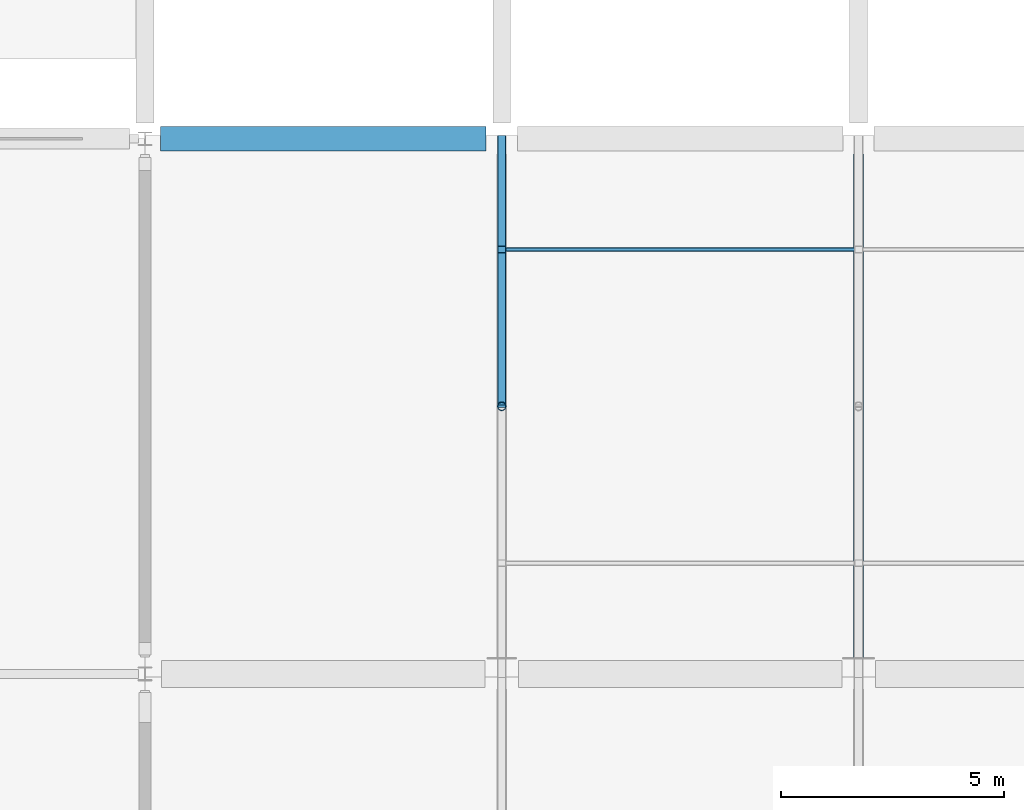
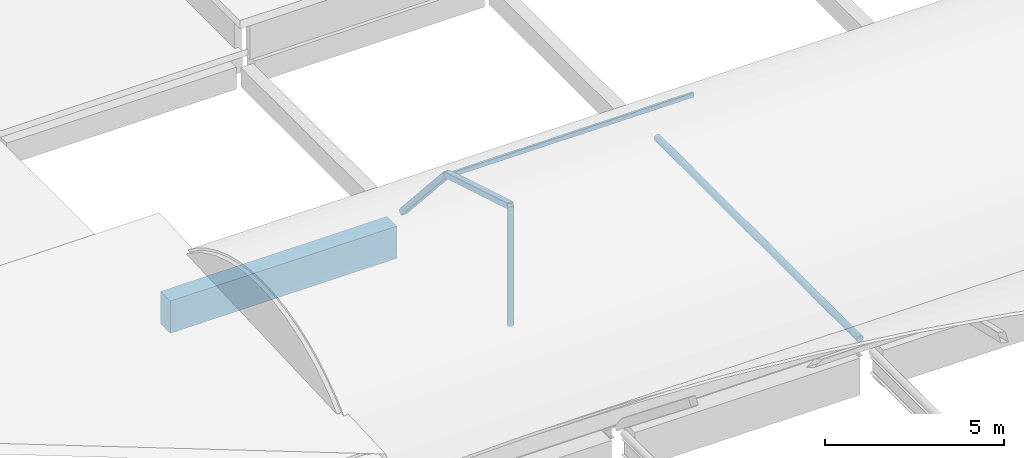
# One storey, part 14 of 57: 5 members, 1 beam.
"""IFC4 building model written with IfcOpenShell, lengths in metres."""

import ifcopenshell
import ifcopenshell.guid

model = None  # the IFC model being written
_history = None  # IfcOwnerHistory: only IFC2X3 demands one
_inside = {}  # id of a spatial element -> (the spatial element, [elements in it])
_under = {}  # id of a project, library or spatial element -> (it, [spatial elements below it])
_declared = {}  # id of a project -> (the project, [libraries it declares])
_typed = {}  # id of a type object -> (the type object, [elements of that type])
_made_of = {}  # id of a material, layer set ... -> (it, [elements and type objects made of it])


def new_model(schema):
    """Start an empty IFC model of exactly this schema.

    Asked for "IFC4X3", IfcOpenShell would pick the latest addendum, in which some entities
    have other attributes; the version numbers below select the first issue.
    IFC2X3 requires an IfcOwnerHistory on every rooted entity: one is made here for all.
    """
    global model, _history
    if schema == "IFC4X3":
        model = ifcopenshell.file(schema_version=(4, 3, 0, 0))
    else:
        model = ifcopenshell.file(schema=schema)
    _inside.clear()
    _under.clear()
    _declared.clear()
    _typed.clear()
    _made_of.clear()
    _history = None
    if model.schema == "IFC2X3":
        org = make("IfcOrganization", Name="unknown")
        user = make(
            "IfcPersonAndOrganization",
            ThePerson=make("IfcPerson", FamilyName="unknown"),
            TheOrganization=org,
        )
        app = make(
            "IfcApplication",
            ApplicationDeveloper=org,
            Version="unknown",
            ApplicationFullName="unknown",
            ApplicationIdentifier="unknown",
        )
        _history = make(
            "IfcOwnerHistory",
            OwningUser=user,
            OwningApplication=app,
            ChangeAction="ADDED",
            CreationDate=0,
        )
    return model


def make(cls, **values):
    """One entity of the class cls with the attributes given. An attribute that is None is left unset."""
    return model.create_entity(
        cls, **{name: value for name, value in values.items() if value is not None}
    )


def rooted(cls, **values):
    """An entity with a GlobalId (a new one), such as an element, a storey or a relation."""
    return make(cls, GlobalId=ifcopenshell.guid.new(), OwnerHistory=_history, **values)


def si_unit(unit_type, name, prefix=None):
    """IfcSIUnit, for example si_unit("LENGTHUNIT", "METRE", prefix="MILLI")."""
    return make("IfcSIUnit", UnitType=unit_type, Prefix=prefix, Name=name)


def assignment(units):
    """IfcUnitAssignment: the units of a project."""
    return None if units is None else make("IfcUnitAssignment", Units=units)


def point(xyz):
    """IfcCartesianPoint."""
    return None if xyz is None else make("IfcCartesianPoint", Coordinates=xyz)


def direction(xyz):
    """IfcDirection."""
    return None if xyz is None else make("IfcDirection", DirectionRatios=xyz)


def frame(location, z_axis=None, x_axis=None):
    """IfcAxis2Placement3D, a coordinate frame: its origin and axes. An axis left out is left unset."""
    return make(
        "IfcAxis2Placement3D",
        Location=point(location),
        Axis=direction(z_axis),
        RefDirection=direction(x_axis),
    )


def frame_2d(location, x_axis=None):
    """IfcAxis2Placement2D, a coordinate frame in the plane: its origin and x axis."""
    return make(
        "IfcAxis2Placement2D", Location=point(location), RefDirection=direction(x_axis)
    )


def origin():
    """The frame at (0, 0, 0) with its axes left unset."""
    return frame((0.0, 0.0, 0.0))


def origin_2d():
    """The frame at (0, 0) in the plane with its x axis left unset."""
    return frame_2d((0.0, 0.0))


def place(relative_to, where):
    """IfcLocalPlacement: puts the frame where relative to a parent placement (None: the world)."""
    return make(
        "IfcLocalPlacement", PlacementRelTo=relative_to, RelativePlacement=where
    )


def context(
    kind, dimensions, precision=None, world=None, true_north=None, identifier=None
):
    """IfcGeometricRepresentationContext, for example the 3D "Model" context."""
    return make(
        "IfcGeometricRepresentationContext",
        ContextIdentifier=identifier,
        ContextType=kind,
        CoordinateSpaceDimension=dimensions,
        Precision=precision,
        WorldCoordinateSystem=world,
        TrueNorth=true_north,
    )


def subcontext(parent, identifier, kind, view, scale=None):
    """IfcGeometricRepresentationSubContext, for example "Body" below "Model"."""
    return make(
        "IfcGeometricRepresentationSubContext",
        ContextIdentifier=identifier,
        ContextType=kind,
        ParentContext=parent,
        TargetScale=scale,
        TargetView=view,
    )


def project(units=None, contexts=None):
    """IfcProject with its units and contexts."""
    return rooted(
        "IfcProject",
        Name="project",
        RepresentationContexts=contexts,
        UnitsInContext=assignment(units),
    )


def spatial(cls, under=None, at=None, **own):
    """A site, building, storey or space (cls), placed at a placement, below another one or the project."""
    s = rooted(cls, ObjectPlacement=at, **own)
    if under is not None:
        _under.setdefault(under.id(), (under, []))[1].append(s)
    return s


def profile(cls, at=None, kind="AREA", **sizes):
    """A parametric profile (cls). Its sizes go by their IFC names, for example OverallWidth=200.0."""
    return make(cls, ProfileType=kind, Position=at, **sizes)


def rectangle(**sizes):
    """IfcRectangleProfileDef."""
    return profile("IfcRectangleProfileDef", **sizes)


def hollow_rectangle(**sizes):
    """IfcRectangleHollowProfileDef."""
    return profile("IfcRectangleHollowProfileDef", **sizes)


def hollow_circle(**sizes):
    """IfcCircleHollowProfileDef."""
    return profile("IfcCircleHollowProfileDef", **sizes)


def extrude(swept, where, along, depth):
    """IfcExtrudedAreaSolid: the profile swept, set in the frame where, extruded along a direction by depth."""
    return make(
        "IfcExtrudedAreaSolid",
        SweptArea=swept,
        Position=where,
        ExtrudedDirection=direction(along),
        Depth=depth,
    )


def shape(context_of_items, identifier, shape_type, items):
    """IfcShapeRepresentation: the items that make up one representation, for example the "Body"."""
    return make(
        "IfcShapeRepresentation",
        ContextOfItems=context_of_items,
        RepresentationIdentifier=identifier,
        RepresentationType=shape_type,
        Items=items,
    )


def material(Name=None, Category=None):
    """IfcMaterial."""
    return make("IfcMaterial", Name=Name, Category=Category)


def material_profile(
    of_material, cross_section, Name=None, Category=None, Priority=None
):
    """IfcMaterialProfile: a cross section and its material."""
    return make(
        "IfcMaterialProfile",
        Name=Name,
        Material=of_material,
        Profile=cross_section,
        Priority=Priority,
        Category=Category,
    )


def profile_set(profiles, Name=None, composite=None):
    """IfcMaterialProfileSet."""
    return make(
        "IfcMaterialProfileSet",
        Name=Name,
        MaterialProfiles=profiles,
        CompositeProfile=composite,
    )


def made_of(thing, what):
    """Note that an element or type object is made of a material, layer set ...; save() writes the relation."""
    if what is not None:
        _made_of.setdefault(what.id(), (what, []))[1].append(thing)
    return thing


def type_object(cls, material=None, **own):
    """A type object (cls), such as IfcWallType, which elements share."""
    return made_of(rooted(cls, **own), material)


def element(
    cls,
    number,
    at=None,
    inside=None,
    cuts=None,
    type_object=None,
    material=None,
    context=None,
    identifier="Body",
    shape_type=None,
    held_by="IfcProductDefinitionShape",
    body=None,
    shapes=None,
    **own,
):
    """One element of the class cls, such as IfcWall. Its Tag is "e" and its number.

    at: its placement. inside: the storey or other place that contains it. cuts: it is an
    opening in that element (IfcRelVoidsElement). A single representation is given by context,
    identifier, shape_type and body (its items); several are given by shapes. held_by: the class
    of the entity that holds the representations. save() writes the other relations.
    """
    e = rooted(cls, Tag="e%d" % number, ObjectPlacement=at, **own)
    if body is not None:
        shapes = [shape(context, identifier, shape_type, body)]
    if shapes is not None:
        e.Representation = make(held_by, Representations=shapes)
    if inside is not None:
        _inside.setdefault(inside.id(), (inside, []))[1].append(e)
    if cuts is not None:
        rooted(
            "IfcRelVoidsElement", RelatingBuildingElement=cuts, RelatedOpeningElement=e
        )
    if type_object is not None:
        _typed.setdefault(type_object.id(), (type_object, []))[1].append(e)
    return made_of(e, material)


def aggregate(whole, parts):
    """IfcRelAggregates: a whole, such as a stair, and the parts it consists of."""
    return rooted("IfcRelAggregates", RelatingObject=whole, RelatedObjects=parts)


def save(model, path):
    """Write the relations noted so far, then the file.

    IfcRelAggregates (storeys below a building ...), IfcRelContainedInSpatialStructure (elements
    in a storey), IfcRelDefinesByType, IfcRelAssociatesMaterial and IfcRelDeclares: one each for
    every whole, place, type object, material and project.
    """
    for whole, parts in _under.values():
        aggregate(whole, parts)
    for where, things in _inside.values():
        rooted(
            "IfcRelContainedInSpatialStructure",
            RelatedElements=things,
            RelatingStructure=where,
        )
    for kind, things in _typed.values():
        rooted("IfcRelDefinesByType", RelatedObjects=things, RelatingType=kind)
    for what, things in _made_of.values():
        rooted("IfcRelAssociatesMaterial", RelatedObjects=things, RelatingMaterial=what)
    for by, libraries in _declared.values():
        rooted("IfcRelDeclares", RelatingContext=by, RelatedDefinitions=libraries)
    model.write(path)


model = new_model("IFC4")

# Units and contexts
model_context = context("Model", 3, precision=1e-05, world=origin(), true_north=direction((0.0, 1.0)))
body_context = subcontext(model_context, "Body", "Model", "MODEL_VIEW")
ifc_project = project(units=[si_unit("LENGTHUNIT", "METRE"), si_unit("AREAUNIT", "SQUARE_METRE"), si_unit("VOLUMEUNIT", "CUBIC_METRE"), si_unit("PLANEANGLEUNIT", "RADIAN"), si_unit("MASSUNIT", "GRAM", prefix="KILO"), si_unit("THERMODYNAMICTEMPERATUREUNIT", "KELVIN"), si_unit("POWERUNIT", "WATT")], contexts=[model_context])

# Site, building, storey
site_placement = place(None, origin())
site = spatial("IfcSite", under=ifc_project, at=site_placement, CompositionType="ELEMENT")
building_placement = place(site_placement, origin())
building = spatial("IfcBuilding", under=site, at=building_placement, Name="Kronsvod Quay Wholesale Market", CompositionType="ELEMENT")
storey_placement = place(building_placement, frame((0.0, 0.0, 13.199951171875)))
storey = spatial("IfcBuildingStorey", under=building, at=storey_placement, Name="L03", CompositionType="ELEMENT", Elevation=13.199951171875)

# Beam
ifc_material_1 = material(Name="Precast concrete C40/50", Category="concrete")
ifc_material_profile_1 = material_profile(ifc_material_1, rectangle(XDim=0.550048828125, YDim=1.10009765625, at=origin_2d()), Name="PCVG550x1100")
ifc_profile_set_1 = profile_set([ifc_material_profile_1], Name="Precast concrete C40/50")
beam_type = type_object("IfcBeamType", Name="Girder_PCVG550x1100", PredefinedType="T_BEAM", material=ifc_profile_set_1)
beam_placement = place(storey_placement, frame((32.35009765625, 90.0, -0.77001953125), z_axis=(1.0, 0.0, 0.0), x_axis=(0.0, 1.0, 0.0)))
element("IfcBeam", 1, at=beam_placement, inside=storey, type_object=beam_type, Name="BMX-L03-320-900", PredefinedType="T_BEAM", context=body_context, shape_type="SweptSolid", body=[
    extrude(rectangle(XDim=0.550048828125, YDim=1.10009765625, at=origin_2d()), origin(), (0.0, 0.0, 1.0), 7.2998046875),
])

# Members
ifc_material_2 = material(Name="Steel S355", Category="steel")
ifc_material_profile_2 = material_profile(ifc_material_2, hollow_rectangle(XDim=0.199951171875, YDim=0.199951171875, WallThickness=0.010009765625, InnerFilletRadius=0.010009765625, OuterFilletRadius=0.02001953125, at=origin_2d()), Name="RHS200x200x10")
ifc_profile_set_2 = profile_set([ifc_material_profile_2], Name="Steel S355")
member_type_1 = type_object("IfcMemberType", Name="Member_Arch200x200", PredefinedType="RAFTER", material=ifc_profile_set_2)
member_1_placement = place(storey_placement, frame((40.0, 84.0, 3.840087890625), z_axis=(0.0, 0.957082500132, -0.289815610245), x_axis=(-1.0, 0.0, 0.0)))
element("IfcMember", 2, at=member_1_placement, inside=storey, type_object=member_type_1, Name="ARCG-SH-V1W-N-400-2", PredefinedType="RAFTER", context=body_context, shape_type="SweptSolid", body=[
    extrude(hollow_rectangle(XDim=0.199951171875, YDim=0.199951171875, WallThickness=0.010009765625, InnerFilletRadius=0.010009765625, OuterFilletRadius=0.02001953125, at=origin_2d()), origin(), (0.0, 0.0, 1.0), 3.674560546875),
])
member_2_placement = place(storey_placement, frame((40.0, 87.516845703125, 2.775146484375), z_axis=(0.0, 0.66547990509, -0.746415766126), x_axis=(-1.0, 0.0, 0.0)))
element("IfcMember", 3, at=member_2_placement, inside=storey, type_object=member_type_1, Name="ARCG-SH-V1W-N-400-3", PredefinedType="RAFTER", context=body_context, shape_type="SweptSolid", body=[
    extrude(hollow_rectangle(XDim=0.199951171875, YDim=0.199951171875, WallThickness=0.010009765625, InnerFilletRadius=0.010009765625, OuterFilletRadius=0.02001953125, at=origin_2d()), origin(), (0.0, 0.0, 1.0), 3.7314453125),
])
ifc_material_3 = material(Name="Steel S355", Category="steel")
ifc_material_profile_3 = material_profile(ifc_material_3, hollow_circle(Radius=0.096923828125, WallThickness=0.008056640625, at=origin_2d()), Name="CHS194x8")
ifc_profile_set_3 = profile_set([ifc_material_profile_3], Name="Steel S355")
member_type_2 = type_object("IfcMemberType", Name="Member_Brace194x8", PredefinedType="BRACE", material=ifc_profile_set_3)
member_3_placement = place(storey_placement, frame((40.0, 84.0, -0.22998046875), z_axis=(0.0, 0.0, 1.0), x_axis=(1.0, 0.0, 0.0)))
element("IfcMember", 4, at=member_3_placement, inside=storey, type_object=member_type_2, Name="KPST-SH-V1W-N-400", PredefinedType="BRACE", context=body_context, shape_type="SweptSolid", body=[
    extrude(hollow_circle(Radius=0.096923828125, WallThickness=0.008056640625, at=origin_2d()), origin(), (0.0, 0.0, 1.0), 4.070068359375),
])
ifc_material_4 = material(Name="Steel S355", Category="steel")
ifc_material_profile_4 = material_profile(ifc_material_4, hollow_circle(Radius=0.109619140625, WallThickness=0.010009765625, at=origin_2d()), Name="CHS219x10")
ifc_profile_set_4 = profile_set([ifc_material_profile_4], Name="Steel S355")
member_type_3 = type_object("IfcMemberType", Name="Member_Chord219x10", PredefinedType="CHORD", material=ifc_profile_set_4)
member_4_placement = place(storey_placement, frame((48.0, 78.340087890625, -0.079833984375), z_axis=(0.0, 1.0, 0.0), x_axis=(-1.0, 0.0, 0.0)))
element("IfcMember", 5, at=member_4_placement, inside=storey, type_object=member_type_3, Name="CHDG-SH-V1W-N-480", PredefinedType="CHORD", context=body_context, shape_type="SweptSolid", body=[
    extrude(hollow_circle(Radius=0.109619140625, WallThickness=0.010009765625, at=origin_2d()), origin(), (0.0, 0.0, 1.0), 11.31982421875),
])
ifc_material_5 = material(Name="Steel S355", Category="steel")
ifc_material_profile_5 = material_profile(ifc_material_5, hollow_rectangle(XDim=0.080078125, YDim=0.159912109375, WallThickness=0.006103515625, InnerFilletRadius=0.006103515625, OuterFilletRadius=0.011962890625, at=origin_2d()), Name="RHS160x80x6")
ifc_profile_set_5 = profile_set([ifc_material_profile_5], Name="Steel S355")
member_type_4 = type_object("IfcMemberType", Name="Member_Purlin160x80", PredefinedType="PURLIN", material=ifc_profile_set_5)
member_5_placement = place(storey_placement, frame((40.080078125, 87.516845703125, 2.71533203125), z_axis=(1.0, 0.0, 0.0), x_axis=(0.0, 1.0, 0.0)))
element("IfcMember", 6, at=member_5_placement, inside=storey, type_object=member_type_4, Name="PRLG-SH-V1W-N-0-1", PredefinedType="PURLIN", context=body_context, shape_type="SweptSolid", body=[
    extrude(hollow_rectangle(XDim=0.080078125, YDim=0.159912109375, WallThickness=0.006103515625, InnerFilletRadius=0.006103515625, OuterFilletRadius=0.011962890625, at=origin_2d()), origin(), (0.0, 0.0, 1.0), 7.83984375),
])

save(model, "model.ifc")
